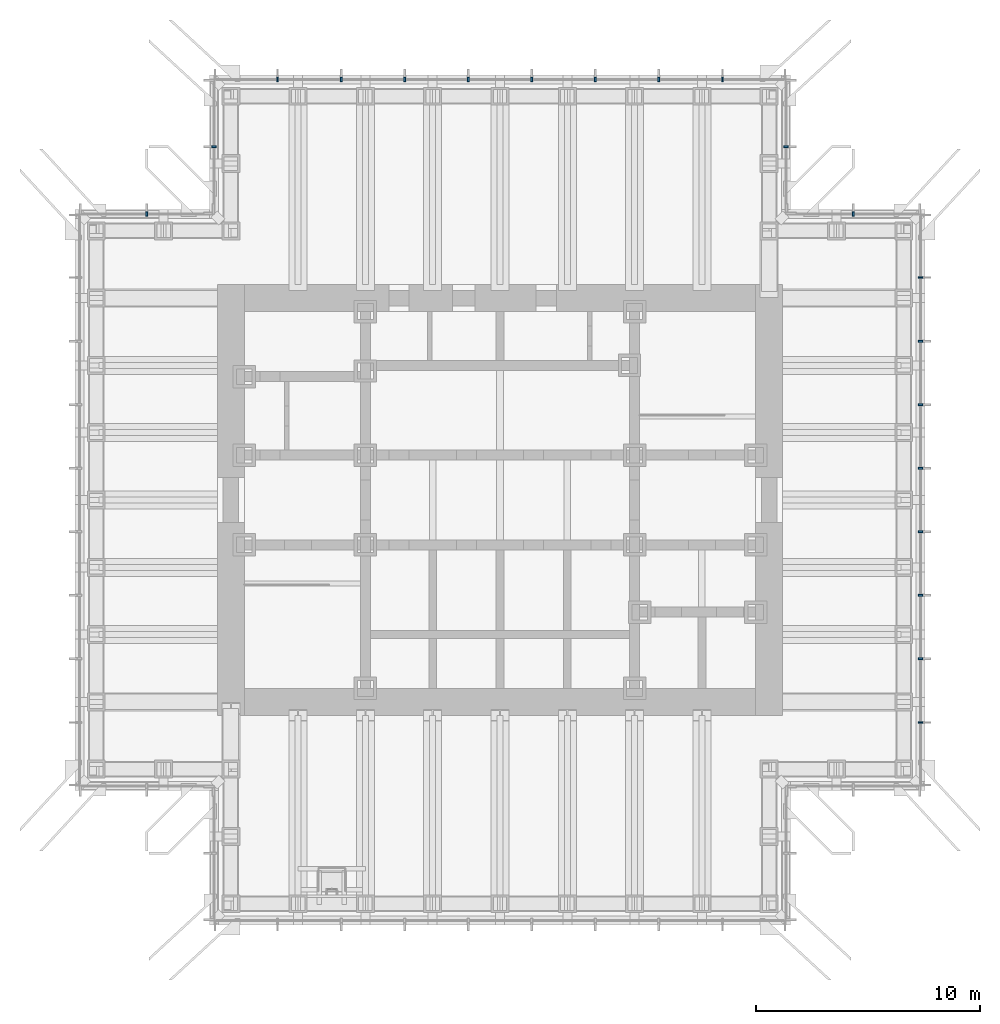
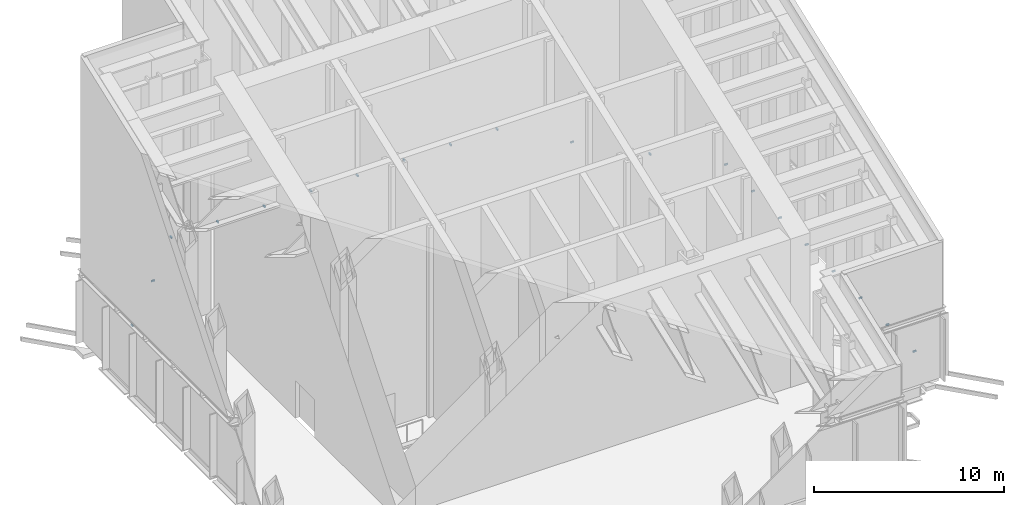
# One storey, part 14 of 15: 20 discrete accessories.
"""IFC4 building model written with IfcOpenShell, lengths in metres."""

import ifcopenshell
import ifcopenshell.guid

model = None  # the IFC model being written
_history = None  # IfcOwnerHistory: only IFC2X3 demands one
_inside = {}  # id of a spatial element -> (the spatial element, [elements in it])
_under = {}  # id of a project, library or spatial element -> (it, [spatial elements below it])
_declared = {}  # id of a project -> (the project, [libraries it declares])
_typed = {}  # id of a type object -> (the type object, [elements of that type])
_made_of = {}  # id of a material, layer set ... -> (it, [elements and type objects made of it])


def new_model(schema):
    """Start an empty IFC model of exactly this schema.

    Asked for "IFC4X3", IfcOpenShell would pick the latest addendum, in which some entities
    have other attributes; the version numbers below select the first issue.
    IFC2X3 requires an IfcOwnerHistory on every rooted entity: one is made here for all.
    """
    global model, _history
    if schema == "IFC4X3":
        model = ifcopenshell.file(schema_version=(4, 3, 0, 0))
    else:
        model = ifcopenshell.file(schema=schema)
    _inside.clear()
    _under.clear()
    _declared.clear()
    _typed.clear()
    _made_of.clear()
    _history = None
    if model.schema == "IFC2X3":
        org = make("IfcOrganization", Name="unknown")
        user = make(
            "IfcPersonAndOrganization",
            ThePerson=make("IfcPerson", FamilyName="unknown"),
            TheOrganization=org,
        )
        app = make(
            "IfcApplication",
            ApplicationDeveloper=org,
            Version="unknown",
            ApplicationFullName="unknown",
            ApplicationIdentifier="unknown",
        )
        _history = make(
            "IfcOwnerHistory",
            OwningUser=user,
            OwningApplication=app,
            ChangeAction="ADDED",
            CreationDate=0,
        )
    return model


def make(cls, **values):
    """One entity of the class cls with the attributes given. An attribute that is None is left unset."""
    return model.create_entity(
        cls, **{name: value for name, value in values.items() if value is not None}
    )


def rooted(cls, **values):
    """An entity with a GlobalId (a new one), such as an element, a storey or a relation."""
    return make(cls, GlobalId=ifcopenshell.guid.new(), OwnerHistory=_history, **values)


def si_unit(unit_type, name, prefix=None):
    """IfcSIUnit, for example si_unit("LENGTHUNIT", "METRE", prefix="MILLI")."""
    return make("IfcSIUnit", UnitType=unit_type, Prefix=prefix, Name=name)


def assignment(units):
    """IfcUnitAssignment: the units of a project."""
    return None if units is None else make("IfcUnitAssignment", Units=units)


def point(xyz):
    """IfcCartesianPoint."""
    return None if xyz is None else make("IfcCartesianPoint", Coordinates=xyz)


def direction(xyz):
    """IfcDirection."""
    return None if xyz is None else make("IfcDirection", DirectionRatios=xyz)


def frame(location, z_axis=None, x_axis=None):
    """IfcAxis2Placement3D, a coordinate frame: its origin and axes. An axis left out is left unset."""
    return make(
        "IfcAxis2Placement3D",
        Location=point(location),
        Axis=direction(z_axis),
        RefDirection=direction(x_axis),
    )


def frame_2d(location, x_axis=None):
    """IfcAxis2Placement2D, a coordinate frame in the plane: its origin and x axis."""
    return make(
        "IfcAxis2Placement2D", Location=point(location), RefDirection=direction(x_axis)
    )


def origin():
    """The frame at (0, 0, 0) with its axes left unset."""
    return frame((0.0, 0.0, 0.0))


def origin_2d():
    """The frame at (0, 0) in the plane with its x axis left unset."""
    return frame_2d((0.0, 0.0))


def place(relative_to, where):
    """IfcLocalPlacement: puts the frame where relative to a parent placement (None: the world)."""
    return make(
        "IfcLocalPlacement", PlacementRelTo=relative_to, RelativePlacement=where
    )


def context(
    kind, dimensions, precision=None, world=None, true_north=None, identifier=None
):
    """IfcGeometricRepresentationContext, for example the 3D "Model" context."""
    return make(
        "IfcGeometricRepresentationContext",
        ContextIdentifier=identifier,
        ContextType=kind,
        CoordinateSpaceDimension=dimensions,
        Precision=precision,
        WorldCoordinateSystem=world,
        TrueNorth=true_north,
    )


def subcontext(parent, identifier, kind, view, scale=None):
    """IfcGeometricRepresentationSubContext, for example "Body" below "Model"."""
    return make(
        "IfcGeometricRepresentationSubContext",
        ContextIdentifier=identifier,
        ContextType=kind,
        ParentContext=parent,
        TargetScale=scale,
        TargetView=view,
    )


def project(units=None, contexts=None):
    """IfcProject with its units and contexts."""
    return rooted(
        "IfcProject",
        Name="project",
        RepresentationContexts=contexts,
        UnitsInContext=assignment(units),
    )


def spatial(cls, under=None, at=None, **own):
    """A site, building, storey or space (cls), placed at a placement, below another one or the project."""
    s = rooted(cls, ObjectPlacement=at, **own)
    if under is not None:
        _under.setdefault(under.id(), (under, []))[1].append(s)
    return s


def profile(cls, at=None, kind="AREA", **sizes):
    """A parametric profile (cls). Its sizes go by their IFC names, for example OverallWidth=200.0."""
    return make(cls, ProfileType=kind, Position=at, **sizes)


def rectangle(**sizes):
    """IfcRectangleProfileDef."""
    return profile("IfcRectangleProfileDef", **sizes)


def extrude(swept, where, along, depth):
    """IfcExtrudedAreaSolid: the profile swept, set in the frame where, extruded along a direction by depth."""
    return make(
        "IfcExtrudedAreaSolid",
        SweptArea=swept,
        Position=where,
        ExtrudedDirection=direction(along),
        Depth=depth,
    )


def shape(context_of_items, identifier, shape_type, items):
    """IfcShapeRepresentation: the items that make up one representation, for example the "Body"."""
    return make(
        "IfcShapeRepresentation",
        ContextOfItems=context_of_items,
        RepresentationIdentifier=identifier,
        RepresentationType=shape_type,
        Items=items,
    )


def made_of(thing, what):
    """Note that an element or type object is made of a material, layer set ...; save() writes the relation."""
    if what is not None:
        _made_of.setdefault(what.id(), (what, []))[1].append(thing)
    return thing


def element(
    cls,
    number,
    at=None,
    inside=None,
    cuts=None,
    type_object=None,
    material=None,
    context=None,
    identifier="Body",
    shape_type=None,
    held_by="IfcProductDefinitionShape",
    body=None,
    shapes=None,
    **own,
):
    """One element of the class cls, such as IfcWall. Its Tag is "e" and its number.

    at: its placement. inside: the storey or other place that contains it. cuts: it is an
    opening in that element (IfcRelVoidsElement). A single representation is given by context,
    identifier, shape_type and body (its items); several are given by shapes. held_by: the class
    of the entity that holds the representations. save() writes the other relations.
    """
    e = rooted(cls, Tag="e%d" % number, ObjectPlacement=at, **own)
    if body is not None:
        shapes = [shape(context, identifier, shape_type, body)]
    if shapes is not None:
        e.Representation = make(held_by, Representations=shapes)
    if inside is not None:
        _inside.setdefault(inside.id(), (inside, []))[1].append(e)
    if cuts is not None:
        rooted(
            "IfcRelVoidsElement", RelatingBuildingElement=cuts, RelatedOpeningElement=e
        )
    if type_object is not None:
        _typed.setdefault(type_object.id(), (type_object, []))[1].append(e)
    return made_of(e, material)


def aggregate(whole, parts):
    """IfcRelAggregates: a whole, such as a stair, and the parts it consists of."""
    return rooted("IfcRelAggregates", RelatingObject=whole, RelatedObjects=parts)


def save(model, path):
    """Write the relations noted so far, then the file.

    IfcRelAggregates (storeys below a building ...), IfcRelContainedInSpatialStructure (elements
    in a storey), IfcRelDefinesByType, IfcRelAssociatesMaterial and IfcRelDeclares: one each for
    every whole, place, type object, material and project.
    """
    for whole, parts in _under.values():
        aggregate(whole, parts)
    for where, things in _inside.values():
        rooted(
            "IfcRelContainedInSpatialStructure",
            RelatedElements=things,
            RelatingStructure=where,
        )
    for kind, things in _typed.values():
        rooted("IfcRelDefinesByType", RelatedObjects=things, RelatingType=kind)
    for what, things in _made_of.values():
        rooted("IfcRelAssociatesMaterial", RelatedObjects=things, RelatingMaterial=what)
    for by, libraries in _declared.values():
        rooted("IfcRelDeclares", RelatingContext=by, RelatedDefinitions=libraries)
    model.write(path)


model = new_model("IFC4")

# Units and contexts
model_context = context("Model", 3, precision=1e-05, world=origin(), true_north=direction((0.0, 1.0)))
body_context = subcontext(model_context, "Body", "Model", "MODEL_VIEW")
ifc_project = project(units=[si_unit("LENGTHUNIT", "METRE"), si_unit("AREAUNIT", "SQUARE_METRE"), si_unit("VOLUMEUNIT", "CUBIC_METRE"), si_unit("PLANEANGLEUNIT", "RADIAN"), si_unit("MASSUNIT", "GRAM", prefix="KILO")], contexts=[model_context])

# Site, building, storey
site_placement = place(None, origin())
site = spatial("IfcSite", under=ifc_project, at=site_placement, CompositionType="ELEMENT")
building_placement = place(site_placement, origin())
building = spatial("IfcBuilding", under=site, at=building_placement, Name="Daluyong Arena Tower", CompositionType="ELEMENT")
storey_placement = place(building_placement, frame((0.0, 0.0, 285.699951171875)))
storey = spatial("IfcBuildingStorey", under=building, at=storey_placement, Name="L64", CompositionType="ELEMENT", Elevation=285.699951171875)

# Discrete accessories
for number, where, z_axis, x_axis, name in (
    (1, (74.75, 70.083251953125, -0.10009765625), (0.0, 0.0, 1.0), (0.0, 1.0, 0.0), "crown louvre curtain wall L64 E anchor bracket 2"),
    (2, (74.75, 72.916748046875, -0.10009765625), (0.0, 0.0, 1.0), (0.0, 1.0, 0.0), "crown louvre curtain wall L64 E anchor bracket 3"),
    (3, (74.75, 75.75, -0.10009765625), (0.0, 0.0, 1.0), (0.0, 1.0, 0.0), "crown louvre curtain wall L64 E anchor bracket 4"),
    (4, (74.75, 78.583251953125, -0.10009765625), (0.0, 0.0, 1.0), (0.0, 1.0, 0.0), "crown louvre curtain wall L64 E anchor bracket 5"),
    (5, (74.75, 81.416748046875, -0.10009765625), (0.0, 0.0, 1.0), (0.0, 1.0, 0.0), "crown louvre curtain wall L64 E anchor bracket 6"),
    (6, (74.75, 84.25, -0.10009765625), (0.0, 0.0, 1.0), (0.0, 1.0, 0.0), "crown louvre curtain wall L64 E anchor bracket 7"),
    (7, (74.75, 87.083251953125, -0.10009765625), (0.0, 0.0, 1.0), (0.0, 1.0, 0.0), "crown louvre curtain wall L64 E anchor bracket 8"),
    (8, (74.75, 89.916748046875, -0.10009765625), (0.0, 0.0, 1.0), (0.0, 1.0, 0.0), "crown louvre curtain wall L64 E anchor bracket 9"),
    (9, (71.75, 92.75, -0.10009765625), (0.0, 0.0, 1.0), (-1.0, 0.0, 0.0), "crown louvre curtain wall L64 NE-N anchor bracket 2"),
    (10, (68.75, 95.75, -0.10009765625), (0.0, 0.0, 1.0), (0.0, 1.0, 0.0), "crown louvre curtain wall L64 NE-E anchor bracket 2"),
    (11, (65.916748046875, 98.75, -0.10009765625), (0.0, 0.0, 1.0), (-1.0, 0.0, 0.0), "crown louvre curtain wall L64 N anchor bracket 2"),
    (12, (63.083251953125, 98.75, -0.10009765625), (0.0, 0.0, 1.0), (-1.0, 0.0, 0.0), "crown louvre curtain wall L64 N anchor bracket 3"),
    (13, (60.25, 98.75, -0.10009765625), (0.0, 0.0, 1.0), (-1.0, 0.0, 0.0), "crown louvre curtain wall L64 N anchor bracket 4"),
    (14, (57.416748046875, 98.75, -0.10009765625), (0.0, 0.0, 1.0), (-1.0, 0.0, 0.0), "crown louvre curtain wall L64 N anchor bracket 5"),
    (15, (54.583251953125, 98.75, -0.10009765625), (0.0, 0.0, 1.0), (-1.0, 0.0, 0.0), "crown louvre curtain wall L64 N anchor bracket 6"),
    (16, (51.75, 98.75, -0.10009765625), (0.0, 0.0, 1.0), (-1.0, 0.0, 0.0), "crown louvre curtain wall L64 N anchor bracket 7"),
    (17, (48.916748046875, 98.75, -0.10009765625), (0.0, 0.0, 1.0), (-1.0, 0.0, 0.0), "crown louvre curtain wall L64 N anchor bracket 8"),
    (18, (46.083251953125, 98.75, -0.10009765625), (0.0, 0.0, 1.0), (-1.0, 0.0, 0.0), "crown louvre curtain wall L64 N anchor bracket 9"),
    (19, (43.25, 95.75, -0.10009765625), (0.0, 0.0, 1.0), (0.0, -1.0, 0.0), "crown louvre curtain wall L64 NW-W anchor bracket 2"),
    (20, (40.25, 92.75, -0.10009765625), (0.0, 0.0, 1.0), (-1.0, 0.0, 0.0), "crown louvre curtain wall L64 NW-N anchor bracket 2"),
):
    element("IfcDiscreteAccessory", number, at=place(storey_placement, frame(where, z_axis=z_axis, x_axis=x_axis)), inside=storey, Name=name, PredefinedType="BRACKET", context=body_context, shape_type="SweptSolid", body=[
        extrude(rectangle(XDim=0.080078125, YDim=0.199951171875, at=origin_2d()), origin(), (0.0, 0.0, 1.0), 0.10009765625),
    ])

save(model, "model.ifc")
